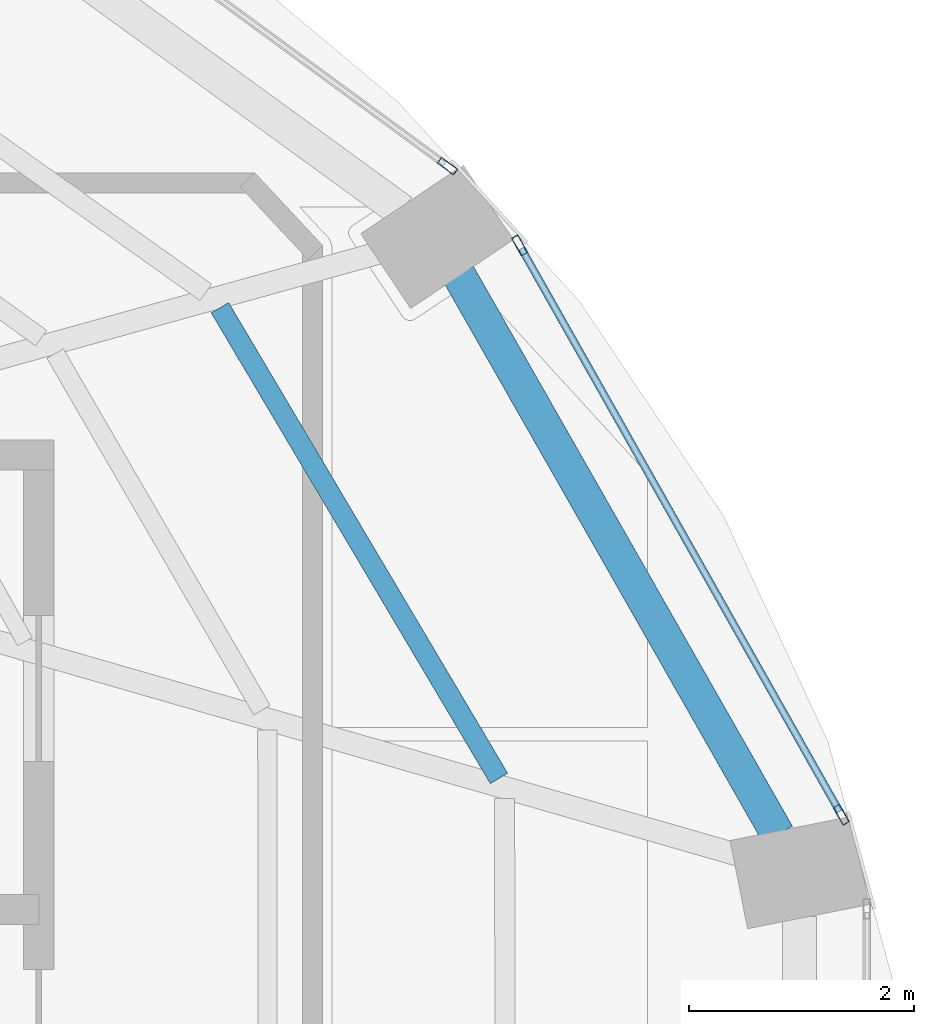
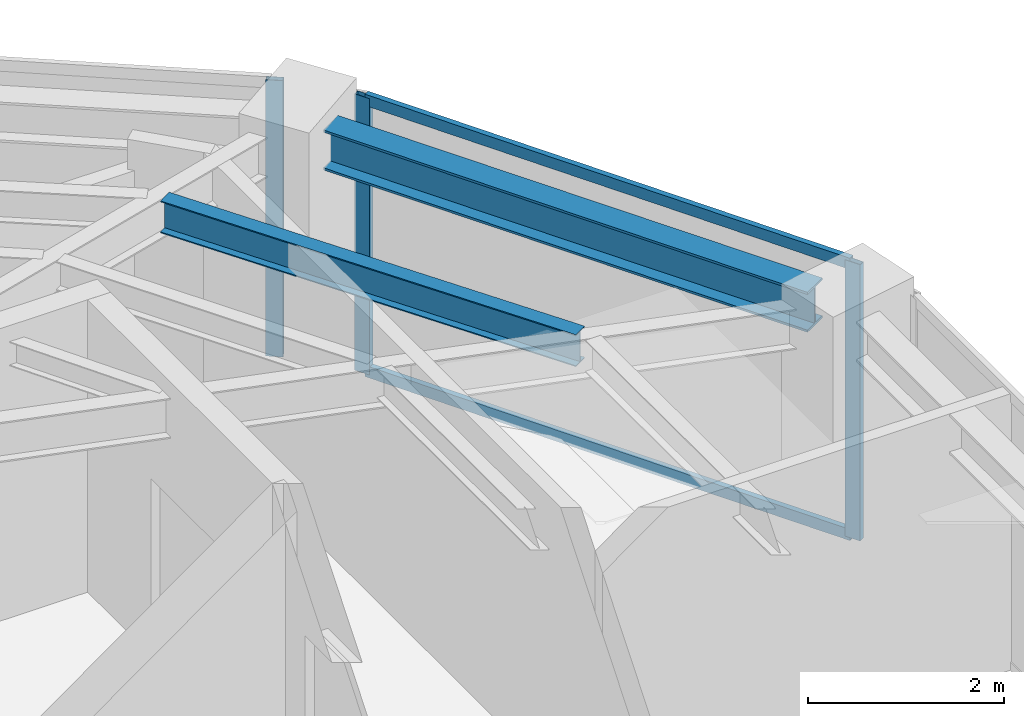
# One storey, part 6 of 12: 5 members, 2 beams, 2 elements without a shape of their own.
"""IFC4 building model written with IfcOpenShell, lengths in metres."""

from ifc_helpers import new_model, si_unit, direction, frame, origin, origin_2d, place, context, subcontext, project, spatial, hollow_rectangle, i_section, extrude, material, layer, layer_set, material_profile, profile_set, type_object, element, aggregate, save


model = new_model("IFC4")

# Units and contexts
model_context = context("Model", 3, precision=1e-05, world=origin(), true_north=direction((0.0, 1.0)))
body_context = subcontext(model_context, "Body", "Model", "MODEL_VIEW")
ifc_project = project(units=[si_unit("LENGTHUNIT", "METRE"), si_unit("AREAUNIT", "SQUARE_METRE"), si_unit("VOLUMEUNIT", "CUBIC_METRE"), si_unit("PLANEANGLEUNIT", "RADIAN"), si_unit("MASSUNIT", "GRAM", prefix="KILO")], contexts=[model_context])

# Site, building, storey
site_placement = place(None, origin())
site = spatial("IfcSite", under=ifc_project, at=site_placement, CompositionType="ELEMENT")
building_placement = place(site_placement, origin())
building = spatial("IfcBuilding", under=site, at=building_placement, Name="Lazwardi Medical Tower", CompositionType="ELEMENT")
storey_placement = place(building_placement, frame((0.0, 0.0, 287.85595703125)))
storey = spatial("IfcBuildingStorey", under=building, at=storey_placement, Name="L75", CompositionType="ELEMENT", Elevation=287.85595703125)

# Beams
ifc_material_1 = material(Name="Steel S355", Category="steel")
ifc_material_profile_1 = material_profile(ifc_material_1, i_section(OverallWidth=0.300048828125, OverallDepth=0.5, WebThickness=0.014404296875, FlangeThickness=0.028076171875, at=origin_2d()), Name="HEB 500")
ifc_profile_set_1 = profile_set([ifc_material_profile_1], Name="Steel S355")
beam_type_1 = type_object("IfcBeamType", Name="BM-RB-Z4", PredefinedType="BEAM", material=ifc_profile_set_1)
beam_1_placement = place(storey_placement, frame((56.991943359375, 32.601806640625, 3.197998046875), z_axis=(-0.495125273299, 0.868821594886, 0.0), x_axis=(-0.868821594886, -0.495125273299, 0.0)))
element("IfcBeam", 1, at=beam_1_placement, inside=storey, type_object=beam_type_1, Name="Ring beam RB-05 B05 L75", PredefinedType="BEAM", context=body_context, shape_type="SweptSolid", body=[
    extrude(i_section(OverallWidth=0.300048828125, OverallDepth=0.5, WebThickness=0.014404296875, FlangeThickness=0.028076171875, at=origin_2d()), origin(), (0.0, 0.0, 1.0), 5.734130859375),
])
ifc_material_profile_2 = material_profile(ifc_material_1, i_section(OverallWidth=0.179931640625, OverallDepth=0.39990234375, WebThickness=0.008544921875, FlangeThickness=0.013427734375, at=origin_2d()), Name="IPE 400")
ifc_profile_set_2 = profile_set([ifc_material_profile_2], Name="Steel S355")
beam_type_2 = type_object("IfcBeamType", Name="BM-SJ-01", PredefinedType="JOIST", material=ifc_profile_set_2)
beam_2_placement = place(storey_placement, frame((54.510986328125, 33.100830078125, 3.248046875), z_axis=(-0.510029083291, 0.860157156685, 0.0), x_axis=(-0.860157156685, -0.510029083291, 0.0)))
element("IfcBeam", 2, at=beam_2_placement, inside=storey, type_object=beam_type_2, Name="Secondary joist SJ-01 R1 B05 L75", PredefinedType="JOIST", context=body_context, shape_type="SweptSolid", body=[
    extrude(i_section(OverallWidth=0.179931640625, OverallDepth=0.39990234375, WebThickness=0.008544921875, FlangeThickness=0.013427734375, at=origin_2d()), origin(), (0.0, 0.0, 1.0), 4.87060546875),
])

# Curtain wall, members
ifc_material_2 = material(Name="Anodised bronze aluminium and solar control glazing", Category="aluminium")
ifc_layer = layer(ifc_material_2, 0.18994140625)
ifc_layer_set = layer_set([ifc_layer], Name="Anodised bronze aluminium and solar control glazing")
curtain_wall_type = type_object("IfcCurtainWallType", Name="CW-SYS-04", PredefinedType="NOTDEFINED", material=ifc_layer_set)
curtain_wall_1_placement = place(storey_placement, origin())
curtain_wall_1 = element("IfcCurtainWall", 3, at=curtain_wall_1_placement, inside=storey, type_object=curtain_wall_type, Name="L75 Unitised bronze curtain wall CW-04", PredefinedType="NOTDEFINED")
ifc_material_3 = material(Name="Anodised bronze aluminium", Category="aluminium")
ifc_material_profile_3 = material_profile(ifc_material_3, hollow_rectangle(XDim=0.06494140625, YDim=0.179931640625, WallThickness=0.00390625, at=origin_2d()), Name="ALU-MULLION 180x65x4")
ifc_profile_set_3 = profile_set([ifc_material_profile_3], Name="Anodised bronze aluminium")
member_type_1 = type_object("IfcMemberType", Name="CW-MUL-03", PredefinedType="MULLION", material=ifc_profile_set_3)
member_1_placement = place(storey_placement, frame((57.557373046875, 32.778076171875, 0.0), z_axis=(0.0, 0.0, 1.0), x_axis=(-0.870651436011, -0.491900474661, 0.0)))
member_1 = element("IfcMember", 4, at=member_1_placement, type_object=member_type_1, Name="CW-04 mullion 1", PredefinedType="MULLION", context=body_context, shape_type="SweptSolid", body=[
    extrude(hollow_rectangle(XDim=0.06494140625, YDim=0.179931640625, WallThickness=0.00390625, at=origin_2d()), origin(), (0.0, 0.0, 1.0), 3.447998046875),
])
member_2_placement = place(storey_placement, frame((54.6943359375, 37.845458984375, 0.0), z_axis=(0.0, 0.0, 1.0), x_axis=(-0.870651436011, -0.491900474661, 0.0)))
member_2 = element("IfcMember", 5, at=member_2_placement, type_object=member_type_1, Name="CW-04 mullion 2", PredefinedType="MULLION", context=body_context, shape_type="SweptSolid", body=[
    extrude(hollow_rectangle(XDim=0.06494140625, YDim=0.179931640625, WallThickness=0.00390625, at=origin_2d()), origin(), (0.0, 0.0, 1.0), 3.447998046875),
])

# Curtain wall, member
curtain_wall_2_placement = place(storey_placement, origin())
curtain_wall_2 = element("IfcCurtainWall", 6, at=curtain_wall_2_placement, inside=storey, type_object=curtain_wall_type, Name="L75 Unitised bronze curtain wall CW-04", PredefinedType="NOTDEFINED")
member_3_placement = place(storey_placement, frame((54.052001953125, 38.551513671875, 0.0), z_axis=(0.0, 0.0, 1.0), x_axis=(-0.591268230971, -0.806474971121, 0.0)))
member_3 = element("IfcMember", 7, at=member_3_placement, type_object=member_type_1, Name="CW-04 mullion 1", PredefinedType="MULLION", context=body_context, shape_type="SweptSolid", body=[
    extrude(hollow_rectangle(XDim=0.06494140625, YDim=0.179931640625, WallThickness=0.00390625, at=origin_2d()), origin(), (0.0, 0.0, 1.0), 3.447998046875),
])
aggregate(curtain_wall_2, [member_3])

# Member
ifc_material_profile_4 = material_profile(ifc_material_3, hollow_rectangle(XDim=0.06494140625, YDim=0.139892578125, WallThickness=0.00341796875, at=origin_2d()), Name="ALU-TRANSOM 140x65x3.5")
ifc_profile_set_4 = profile_set([ifc_material_profile_4], Name="Anodised bronze aluminium")
member_type_2 = type_object("IfcMemberType", Name="CW-TRN-03", PredefinedType="USERDEFINED", material=ifc_profile_set_4)
member_4_placement = place(storey_placement, frame((57.541259765625, 32.806396484375, 0.032470703125), z_axis=(-0.491879719484, 0.87066316194, 0.0), x_axis=(-0.87066316194, -0.491879719484, 0.0)))
member_4 = element("IfcMember", 8, at=member_4_placement, type_object=member_type_2, Name="CW-04 transom 1.1", ObjectType="TRANSOM", PredefinedType="USERDEFINED", context=body_context, shape_type="SweptSolid", body=[
    extrude(hollow_rectangle(XDim=0.06494140625, YDim=0.139892578125, WallThickness=0.00341796875, at=origin_2d()), origin(), (0.0, 0.0, 1.0), 5.755126953125),
])

member_5_placement = place(storey_placement, frame((57.541259765625, 32.806396484375, 3.41552734375), z_axis=(-0.491879719484, 0.87066316194, 0.0), x_axis=(-0.87066316194, -0.491879719484, 0.0)))
member_5 = element("IfcMember", 9, at=member_5_placement, type_object=member_type_2, Name="CW-04 transom 1.2", ObjectType="TRANSOM", PredefinedType="USERDEFINED", context=body_context, shape_type="SweptSolid", body=[
    extrude(hollow_rectangle(XDim=0.06494140625, YDim=0.139892578125, WallThickness=0.00341796875, at=origin_2d()), origin(), (0.0, 0.0, 1.0), 5.755126953125),
])

aggregate(curtain_wall_1, [member_1, member_2, member_4, member_5])

save(model, "model.ifc")
